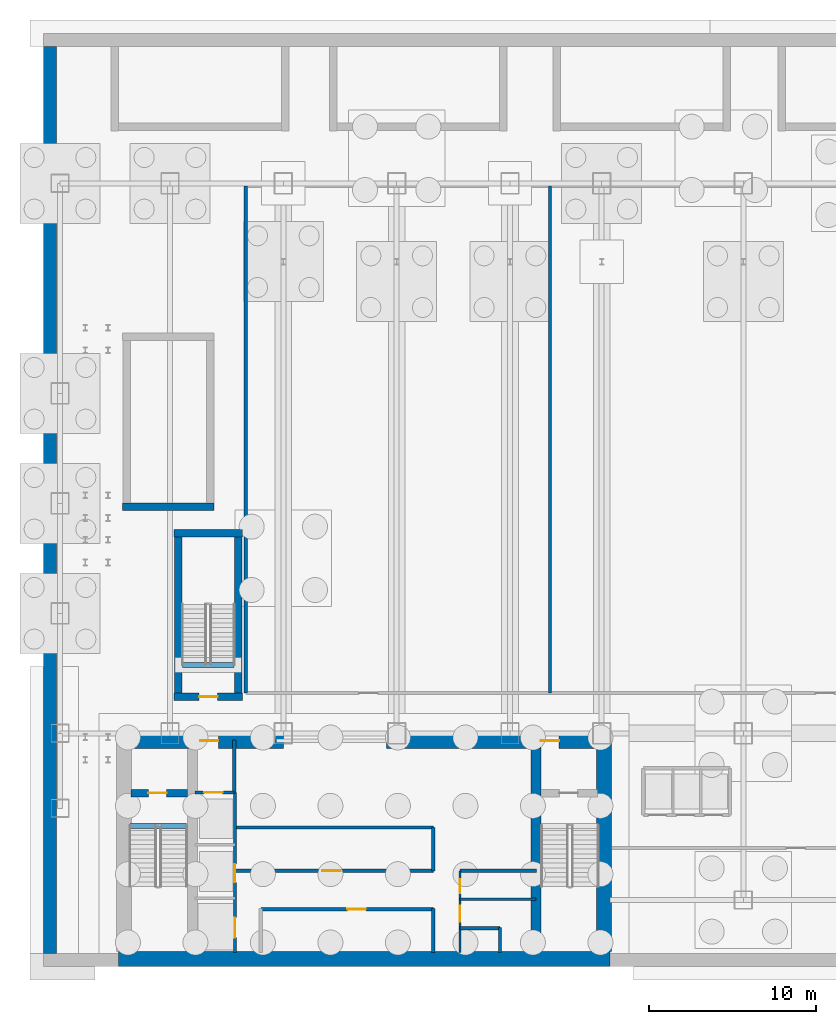
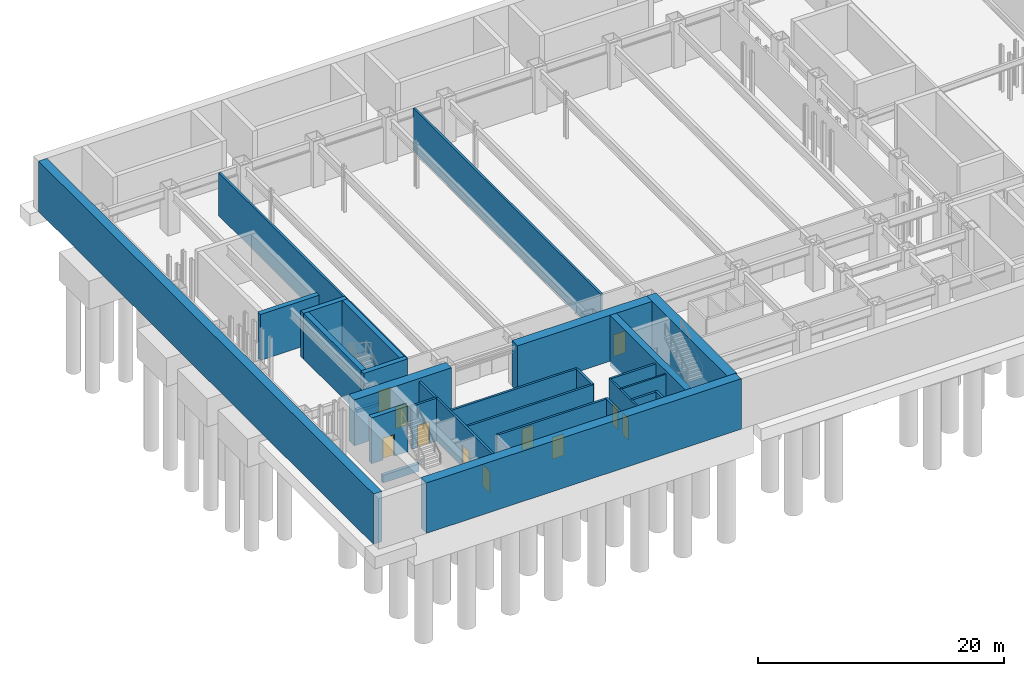
# One storey, part 10 of 17: 29 walls, 11 doors, 11 openings.
"""IFC4 building model written with IfcOpenShell, lengths in metres."""

from ifc_helpers import new_model, si_unit, derived_unit, direction, frame, frame_2d, origin, place, context, subcontext, project, spatial, rectangle, extrude, source, transform, mapped, material, layer, layer_set, type_object, element, fill, save


model = new_model("IFC4")

# Units and contexts
model_context = context("Model", 3, precision=1e-05, world=origin(), true_north=direction((0.0, 1.0)))
body_context = subcontext(model_context, "Body", "Model", "MODEL_VIEW")
ifc_project = project(units=[si_unit("LENGTHUNIT", "METRE"), si_unit("AREAUNIT", "SQUARE_METRE"), si_unit("VOLUMEUNIT", "CUBIC_METRE"), si_unit("PLANEANGLEUNIT", "RADIAN"), si_unit("MASSUNIT", "GRAM", prefix="KILO"), derived_unit("THERMALTRANSMITTANCEUNIT", [(si_unit("POWERUNIT", "WATT"), 1), (si_unit("LENGTHUNIT", "METRE"), -2), (si_unit("THERMODYNAMICTEMPERATUREUNIT", "KELVIN"), -1)])], contexts=[model_context])

# Site, building, storey
site_placement = place(None, origin())
site = spatial("IfcSite", under=ifc_project, at=site_placement, CompositionType="ELEMENT")
building_placement = place(site_placement, origin())
building = spatial("IfcBuilding", under=site, at=building_placement, Name="Skarnbrae Concourse Arena and Tower", CompositionType="ELEMENT")
storey_placement = place(building_placement, frame((0.0, 0.0, -10.0)))
storey = spatial("IfcBuildingStorey", under=building, at=storey_placement, Name="B02", CompositionType="ELEMENT", Elevation=-10.0)

# Walls
ifc_material_1 = material(Name="Concrete 50 MPa (C50/60)", Category="concrete")
ifc_layer_1 = layer(ifc_material_1, 0.800048828125)
ifc_layer_set_1 = layer_set([ifc_layer_1], Name="Concrete 50 MPa (C50/60)")
wall_type_1 = type_object("IfcWallType", Name="WALL-RETAINING-800", PredefinedType="USERDEFINED", material=ifc_layer_set_1)
shared_shape_1 = source(origin(), body_context, "Body", "SweptSolid", [
    extrude(rectangle(XDim=54.39990234375, YDim=0.800048828125, at=frame_2d((27.199951171875, 0.0))), origin(), (0.0, 0.0, 1.0), 5.0),
])
wall_1_placement = place(storey_placement, frame((0.39990234375, 0.800048828125, 0.0), z_axis=(0.0, 0.0, 1.0), x_axis=(0.0, 1.0, 0.0)))
element("IfcWall", 1, at=wall_1_placement, inside=storey, type_object=wall_type_1, Name="B02 Basement retaining wall RW-W", ObjectType="RETAINING WALL", PredefinedType="USERDEFINED", context=body_context, shape_type="MappedRepresentation", body=[
    mapped(shared_shape_1, transform((0.0, 0.0, 0.0))),
])
ifc_material_2 = material(Name="Concrete 70 MPa (C70/85)", Category="concrete")
ifc_layer_2 = layer(ifc_material_2, 0.89990234375)
ifc_layer_set_2 = layer_set([ifc_layer_2], Name="Concrete 70 MPa (C70/85)")
wall_type_2 = type_object("IfcWallType", Name="WALL-CORE-900-C70", PredefinedType="SHEAR", material=ifc_layer_set_2)
shared_shape_2 = source(origin(), body_context, "Body", "SweptSolid", [
    extrude(rectangle(XDim=29.5, YDim=0.89990234375, at=frame_2d((14.75, 0.0))), origin(), (0.0, 0.0, 1.0), 5.0),
])
wall_2_placement = place(storey_placement, frame((4.5, 0.449951171875, 0.0), z_axis=(0.0, 0.0, 1.0), x_axis=(1.0, 0.0, 0.0)))
element("IfcWall", 2, at=wall_2_placement, inside=storey, type_object=wall_type_2, Name="B02 Rear core shear wall CW-S", PredefinedType="SHEAR", context=body_context, shape_type="MappedRepresentation", body=[
    mapped(shared_shape_2, transform((0.0, 0.0, 0.0))),
])
shared_shape_3 = source(origin(), body_context, "Body", "SweptSolid", [
    extrude(rectangle(XDim=13.10009765625, YDim=0.89990234375, at=frame_2d((6.550048828125, 0.0))), origin(), (0.0, 0.0, 1.0), 5.0),
])
wall_3_placement = place(storey_placement, frame((33.64990234375, 0.89990234375, 0.0), z_axis=(0.0, 0.0, 1.0), x_axis=(0.0, 1.0, 0.0)))
element("IfcWall", 3, at=wall_3_placement, inside=storey, type_object=wall_type_2, Name="B02 Rear core shear wall CW-E", PredefinedType="SHEAR", context=body_context, shape_type="MappedRepresentation", body=[
    mapped(shared_shape_3, transform((0.0, 0.0, 0.0))),
])

# Wall, opening, door
shared_shape_4 = source(origin(), body_context, "Body", "SweptSolid", [
    extrude(rectangle(XDim=9.099853515625, YDim=0.89990234375, at=frame_2d((4.5498046875, 0.0))), origin(), (0.0, 0.0, 1.0), 4.550048828125),
])
wall_4_placement = place(storey_placement, frame((5.300048828125, 13.550048828125, 0.449951171875), z_axis=(0.0, 0.0, 1.0), x_axis=(1.0, 0.0, 0.0)))
wall_4 = element("IfcWall", 4, at=wall_4_placement, inside=storey, type_object=wall_type_2, Name="B02 Rear core shear wall CW-NW", PredefinedType="SHEAR", context=body_context, shape_type="MappedRepresentation", body=[
    mapped(shared_shape_4, transform((0.0, 0.0, 0.0))),
])
opening_1_placement = place(wall_4_placement, frame((4.10009765625, 0.0, 0.0)))
opening_1 = element("IfcOpeningElement", 5, at=opening_1_placement, cuts=wall_4, Name="Opening DT-03", PredefinedType="OPENING", context=body_context, shape_type="SweptSolid", body=[
    extrude(rectangle(XDim=1.10009765625, YDim=2.14990234375, at=frame_2d((0.550048828125, 1.074951171875))), frame((0.0, 0.4599609375, 0.0), z_axis=(0.0, -1.0, 0.0), x_axis=(1.0, 0.0, 0.0)), (0.0, 0.0, 1.0), 0.919921875),
])
ifc_material_3 = material(Name="Steel CSA G40.21 350W", Category="steel")
door_type_1 = type_object("IfcDoorType", Name="DOOR-FIRE-1100-90M", OperationType="NOTDEFINED", PredefinedType="DOOR", material=ifc_material_3)
shared_shape_5 = source(origin(), body_context, "Body", "SweptSolid", [
    extrude(rectangle(XDim=1.10009765625, YDim=2.14990234375, at=frame_2d((0.550048828125, 1.074951171875))), frame((0.0, 0.02490234375, 0.0), z_axis=(0.0, -1.0, 0.0), x_axis=(1.0, 0.0, 0.0)), (0.0, 0.0, 1.0), 0.050048828125),
])
door_1_placement = place(opening_1_placement, origin())
door_1 = element("IfcDoor", 6, at=door_1_placement, inside=storey, type_object=door_type_1, Name="D-0103 Firefighting Lobby Exit Door", OperationType="SINGLE_SWING_RIGHT", OverallHeight=2.14990234375, OverallWidth=1.10009765625, PredefinedType="DOOR", context=body_context, shape_type="MappedRepresentation", body=[
    mapped(shared_shape_5, transform((0.0, 0.0, 0.0))),
])
fill(opening_1, door_1)

shared_shape_6 = source(origin(), body_context, "Body", "SweptSolid", [
    extrude(rectangle(XDim=12.599853515625, YDim=0.89990234375, at=frame_2d((6.2998046875, 0.0))), origin(), (0.0, 0.0, 1.0), 4.550048828125),
])
wall_5_placement = place(storey_placement, frame((20.60009765625, 13.550048828125, 0.449951171875), z_axis=(0.0, 0.0, 1.0), x_axis=(1.0, 0.0, 0.0)))
wall_5 = element("IfcWall", 7, at=wall_5_placement, inside=storey, type_object=wall_type_2, Name="B02 Rear core shear wall CW-NE", PredefinedType="SHEAR", context=body_context, shape_type="MappedRepresentation", body=[
    mapped(shared_shape_6, transform((0.0, 0.0, 0.0))),
])
opening_2_placement = place(wall_5_placement, frame((9.25, 0.0, 0.0)))
opening_2 = element("IfcOpeningElement", 8, at=opening_2_placement, cuts=wall_5, Name="Opening DT-03", PredefinedType="OPENING", context=body_context, shape_type="SweptSolid", body=[
    extrude(rectangle(XDim=1.10009765625, YDim=2.14990234375, at=frame_2d((0.550048828125, 1.074951171875))), frame((0.0, 0.4599609375, 0.0), z_axis=(0.0, -1.0, 0.0), x_axis=(1.0, 0.0, 0.0)), (0.0, 0.0, 1.0), 0.919921875),
])
door_2_placement = place(opening_2_placement, origin())
door_2 = element("IfcDoor", 9, at=door_2_placement, inside=storey, type_object=door_type_1, Name="D-0104 Stair ST-2 Vestibule Door", OperationType="SINGLE_SWING_LEFT", OverallHeight=2.14990234375, OverallWidth=1.10009765625, PredefinedType="DOOR", context=body_context, shape_type="MappedRepresentation", body=[
    mapped(shared_shape_5, transform((0.0, 0.0, 0.0))),
])
fill(opening_2, door_2)

# Wall
ifc_layer_3 = layer(ifc_material_2, 0.60009765625)
ifc_layer_set_3 = layer_set([ifc_layer_3], Name="Concrete 70 MPa (C70/85)")
wall_type_3 = type_object("IfcWallType", Name="WALL-CORE-600-C70", PredefinedType="SHEAR", material=ifc_layer_set_3)
shared_shape_7 = source(origin(), body_context, "Body", "SweptSolid", [
    extrude(rectangle(XDim=12.2001953125, YDim=0.60009765625, at=frame_2d((6.10009765625, 0.0))), origin(), (0.0, 0.0, 1.0), 5.0),
])
wall_6_placement = place(storey_placement, frame((29.56005859375, 0.89990234375, 0.0), z_axis=(0.0, 0.0, 1.0), x_axis=(0.0, 1.0, 0.0)))
element("IfcWall", 10, at=wall_6_placement, inside=storey, type_object=wall_type_3, Name="B02 Rear core shear wall CW-WEB-E", PredefinedType="SHEAR", context=body_context, shape_type="MappedRepresentation", body=[
    mapped(shared_shape_7, transform((0.0, 0.0, 0.0))),
])

# Wall, opening, door
ifc_layer_4 = layer(ifc_material_1, 0.449951171875)
ifc_layer_set_4 = layer_set([ifc_layer_4], Name="Concrete 50 MPa (C50/60)")
wall_type_4 = type_object("IfcWallType", Name="WALL-CORE-450-C50", PredefinedType="SHEAR", material=ifc_layer_set_4)
shared_shape_8 = source(origin(), body_context, "Body", "SweptSolid", [
    extrude(rectangle(XDim=3.389892578125, YDim=0.449951171875, at=frame_2d((1.69482421875, 0.0))), origin(), (0.0, 0.0, 1.0), 4.550048828125),
])
wall_7_placement = place(storey_placement, frame((5.25, 10.419921875, 0.449951171875), z_axis=(0.0, 0.0, 1.0), x_axis=(1.0, 0.0, 0.0)))
wall_7 = element("IfcWall", 11, at=wall_7_placement, inside=storey, type_object=wall_type_4, Name="B02 Rear core shear wall CW-ST1-N", PredefinedType="SHEAR", context=body_context, shape_type="MappedRepresentation", body=[
    mapped(shared_shape_8, transform((0.0, 0.0, 0.0))),
])
opening_3_placement = place(wall_7_placement, frame((1.050048828125, 0.0, 0.0)))
opening_3 = element("IfcOpeningElement", 12, at=opening_3_placement, cuts=wall_7, Name="Opening DT-03", PredefinedType="OPENING", context=body_context, shape_type="SweptSolid", body=[
    extrude(rectangle(XDim=1.10009765625, YDim=2.14990234375, at=frame_2d((0.550048828125, 1.074951171875))), frame((0.0, 0.23486328125, 0.0), z_axis=(0.0, -1.0, 0.0), x_axis=(1.0, 0.0, 0.0)), (0.0, 0.0, 1.0), 0.469970703125),
])
door_3_placement = place(opening_3_placement, frame((1.10009765625, 0.0, 0.0), z_axis=(0.0, 0.0, 1.0), x_axis=(-1.0, 0.0, 0.0)))
door_3 = element("IfcDoor", 13, at=door_3_placement, inside=storey, type_object=door_type_1, Name="D-0101 Stair ST-1 Door", OperationType="SINGLE_SWING_LEFT", OverallHeight=2.14990234375, OverallWidth=1.10009765625, PredefinedType="DOOR", context=body_context, shape_type="MappedRepresentation", body=[
    mapped(shared_shape_5, transform((0.0, 0.0, 0.0))),
])
fill(opening_3, door_3)

# Wall
shared_shape_9 = source(origin(), body_context, "Body", "SweptSolid", [
    extrude(rectangle(XDim=3.400146484375, YDim=0.300048828125, at=frame_2d((1.7001953125, 0.0))), origin(), (0.0, 0.0, 1.0), 0.75),
])
wall_8_placement = place(storey_placement, frame((5.199951171875, 8.449951171875, -0.300048828125), z_axis=(0.0, 0.0, 1.0), x_axis=(1.0, 0.0, 0.0)))
element("IfcWall", 14, at=wall_8_placement, inside=storey, type_object=wall_type_4, Name="B02 Core stair ST-1 foundation sleeper step", PredefinedType="SHEAR", context=body_context, shape_type="MappedRepresentation", body=[
    mapped(shared_shape_9, transform((0.0, 0.0, 0.0))),
])

# Wall, opening, door
shared_shape_10 = source(origin(), body_context, "Body", "SweptSolid", [
    extrude(rectangle(XDim=4.099853515625, YDim=0.449951171875, at=frame_2d((2.0498046875, 0.0))), origin(), (0.0, 0.0, 1.0), 4.550048828125),
])
wall_9_placement = place(storey_placement, frame((7.85009765625, 16.195068359375, 0.449951171875), z_axis=(0.0, 0.0, 1.0), x_axis=(1.0, 0.0, 0.0)))
wall_9 = element("IfcWall", 15, at=wall_9_placement, inside=storey, type_object=wall_type_4, Name="B02 Protected stair shaft wall ST-B3-S", PredefinedType="SHEAR", context=body_context, shape_type="MappedRepresentation", body=[
    mapped(shared_shape_10, transform((0.0, 0.0, 0.0))),
])
opening_4_placement = place(wall_9_placement, frame((1.5, 0.0, 0.0)))
opening_4 = element("IfcOpeningElement", 16, at=opening_4_placement, cuts=wall_9, Name="Opening DT-03", PredefinedType="OPENING", context=body_context, shape_type="SweptSolid", body=[
    extrude(rectangle(XDim=1.10009765625, YDim=2.14990234375, at=frame_2d((0.550048828125, 1.074951171875))), frame((0.0, 0.23486328125, 0.0), z_axis=(0.0, -1.0, 0.0), x_axis=(1.0, 0.0, 0.0)), (0.0, 0.0, 1.0), 0.469970703125),
])
door_4_placement = place(opening_4_placement, origin())
door_4 = element("IfcDoor", 17, at=door_4_placement, inside=storey, type_object=door_type_1, Name="D-0121 Exit Stair ST-B3 Door", OperationType="SINGLE_SWING_LEFT", OverallHeight=2.14990234375, OverallWidth=1.10009765625, PredefinedType="DOOR", context=body_context, shape_type="MappedRepresentation", body=[
    mapped(shared_shape_5, transform((0.0, 0.0, 0.0))),
])
fill(opening_4, door_4)

# Walls
wall_10_placement = place(storey_placement, frame((7.85009765625, 26.0048828125, 0.449951171875), z_axis=(0.0, 0.0, 1.0), x_axis=(1.0, 0.0, 0.0)))
element("IfcWall", 18, at=wall_10_placement, inside=storey, type_object=wall_type_4, Name="B02 Protected stair shaft wall ST-B3-N", PredefinedType="SHEAR", context=body_context, shape_type="MappedRepresentation", body=[
    mapped(shared_shape_10, transform((0.0, 0.0, 0.0))),
])
shared_shape_11 = source(origin(), body_context, "Body", "SweptSolid", [
    extrude(rectangle(XDim=5.5, YDim=0.449951171875, at=frame_2d((2.75, 0.0))), origin(), (0.0, 0.0, 1.0), 4.550048828125),
])
wall_11_placement = place(storey_placement, frame((4.75, 27.594970703125, 0.449951171875), z_axis=(0.0, 0.0, 1.0), x_axis=(1.0, 0.0, 0.0)))
element("IfcWall", 19, at=wall_11_placement, inside=storey, type_object=wall_type_4, Name="B02 Protected stair shaft wall ST-A3-S", PredefinedType="SHEAR", context=body_context, shape_type="MappedRepresentation", body=[
    mapped(shared_shape_11, transform((0.0, 0.0, 0.0))),
])
shared_shape_12 = source(origin(), body_context, "Body", "SweptSolid", [
    extrude(rectangle(XDim=9.400146484375, YDim=0.449951171875, at=frame_2d((4.7001953125, 0.0))), origin(), (0.0, 0.0, 1.0), 4.550048828125),
])
for number, where, z_axis, x_axis, name in (
    (20, (8.094970703125, 16.39990234375, 0.449951171875), (0.0, 0.0, 1.0), (0.0, 1.0, 0.0), "B02 Protected stair shaft wall ST-B3-W"),
    (21, (11.705078125, 16.39990234375, 0.449951171875), (0.0, 0.0, 1.0), (0.0, 1.0, 0.0), "B02 Protected stair shaft wall ST-B3-E"),
):
    element("IfcWall", number, at=place(storey_placement, frame(where, z_axis=z_axis, x_axis=x_axis)), inside=storey, type_object=wall_type_4, Name=name, PredefinedType="SHEAR", context=body_context, shape_type="MappedRepresentation", body=[
        mapped(shared_shape_12, transform((0.0, 0.0, 0.0))),
    ])
shared_shape_13 = source(origin(), body_context, "Body", "SweptSolid", [
    extrude(rectangle(XDim=3.099853515625, YDim=0.300048828125, at=frame_2d((1.5498046875, 0.0))), origin(), (0.0, 0.0, 1.0), 0.300048828125),
])
wall_12_placement = place(storey_placement, frame((11.449951171875, 18.10009765625, -0.300048828125), z_axis=(0.0, 0.0, 1.0), x_axis=(-1.0, 0.0, 0.0)))
element("IfcWall", 22, at=wall_12_placement, inside=storey, type_object=wall_type_4, Name="B02 Stair ST-B3 foundation sleeper step", PredefinedType="SHEAR", context=body_context, shape_type="MappedRepresentation", body=[
    mapped(shared_shape_13, transform((0.0, 0.0, 0.0))),
])
ifc_material_4 = material(Name="Gypsum board on cold-formed steel studs", Category="steel")
ifc_layer_5 = layer(ifc_material_4, 0.199951171875)
ifc_layer_set_5 = layer_set([ifc_layer_5], Name="Gypsum board on cold-formed steel studs")
wall_type_5 = type_object("IfcWallType", Name="WALL-PART-200-2HR", PredefinedType="PARTITIONING", material=ifc_layer_set_5)
shared_shape_14 = source(origin(), body_context, "Body", "SweptSolid", [
    extrude(rectangle(XDim=3.18017578125, YDim=0.199951171875, at=frame_2d((1.590087890625, 0.0))), origin(), (0.0, 0.0, 1.0), 4.25),
])
wall_13_placement = place(storey_placement, frame((11.449951171875, 10.419921875, 0.449951171875), z_axis=(0.0, 0.0, 1.0), x_axis=(0.0, 1.0, 0.0)))
element("IfcWall", 23, at=wall_13_placement, inside=storey, type_object=wall_type_5, Name="B02 Interior partition wall W-B02-FFL-E", PredefinedType="PARTITIONING", context=body_context, shape_type="MappedRepresentation", body=[
    mapped(shared_shape_14, transform((0.0, 0.0, 0.0))),
])

# Wall, opening, door
shared_shape_15 = source(origin(), body_context, "Body", "SweptSolid", [
    extrude(rectangle(XDim=2.349853515625, YDim=0.199951171875, at=frame_2d((1.1748046875, 0.0))), origin(), (0.0, 0.0, 1.0), 4.25),
])
wall_14_placement = place(storey_placement, frame((9.10009765625, 10.449951171875, 0.449951171875), z_axis=(0.0, 0.0, 1.0), x_axis=(1.0, 0.0, 0.0)))
wall_14 = element("IfcWall", 24, at=wall_14_placement, inside=storey, type_object=wall_type_5, Name="B02 Interior partition wall W-B02-FL1-N", PredefinedType="PARTITIONING", context=body_context, shape_type="MappedRepresentation", body=[
    mapped(shared_shape_15, transform((0.0, 0.0, 0.0))),
])
opening_5_placement = place(wall_14_placement, frame((0.550048828125, 0.0, 0.0)))
opening_5 = element("IfcOpeningElement", 25, at=opening_5_placement, cuts=wall_14, Name="Opening LD-01", PredefinedType="OPENING", context=body_context, shape_type="SweptSolid", body=[
    extrude(rectangle(XDim=1.10009765625, YDim=2.14990234375, at=frame_2d((0.550048828125, 1.074951171875))), frame((0.0, 0.10986328125, 0.0), z_axis=(0.0, -1.0, 0.0), x_axis=(1.0, 0.0, 0.0)), (0.0, 0.0, 1.0), 0.219970703125),
])
door_type_2 = type_object("IfcDoorType", Name="DOOR-LIFT-SLIDE-1100", OperationType="SLIDING_TO_LEFT", PredefinedType="DOOR", material=ifc_material_3)
door_5_placement = place(opening_5_placement, origin())
door_5 = element("IfcDoor", 26, at=door_5_placement, inside=storey, type_object=door_type_2, Name="D-0105 Firefighting Lift Landing Door FL-01", OperationType="SLIDING_TO_LEFT", OverallHeight=2.14990234375, OverallWidth=1.10009765625, PredefinedType="DOOR", context=body_context, shape_type="MappedRepresentation", body=[
    mapped(shared_shape_5, transform((0.0, 0.0, 0.0))),
])
fill(opening_5, door_5)

# Wall, openings, doors
shared_shape_16 = source(origin(), body_context, "Body", "SweptSolid", [
    extrude(rectangle(XDim=9.599853515625, YDim=0.199951171875, at=frame_2d((4.7998046875, 0.0))), origin(), (0.0, 0.0, 1.0), 4.25),
])
wall_15_placement = place(storey_placement, frame((11.5, 0.85009765625, 0.449951171875), z_axis=(0.0, 0.0, 1.0), x_axis=(0.0, 1.0, 0.0)))
wall_15 = element("IfcWall", 27, at=wall_15_placement, inside=storey, type_object=wall_type_5, Name="B02 Interior partition wall W-B02-FL-E", PredefinedType="PARTITIONING", context=body_context, shape_type="MappedRepresentation", body=[
    mapped(shared_shape_16, transform((0.0, 0.0, 0.0))),
])
opening_6_placement = place(wall_15_placement, frame((4.199951171875, 0.0, 0.0)))
opening_6 = element("IfcOpeningElement", 28, at=opening_6_placement, cuts=wall_15, Name="Opening LD-01", PredefinedType="OPENING", context=body_context, shape_type="SweptSolid", body=[
    extrude(rectangle(XDim=1.10009765625, YDim=2.14990234375, at=frame_2d((0.550048828125, 1.074951171875))), frame((0.0, 0.10986328125, 0.0), z_axis=(0.0, -1.0, 0.0), x_axis=(1.0, 0.0, 0.0)), (0.0, 0.0, 1.0), 0.219970703125),
])
opening_7_placement = place(wall_15_placement, frame((0.89990234375, 0.0, 0.0)))
opening_7 = element("IfcOpeningElement", 29, at=opening_7_placement, cuts=wall_15, Name="Opening LD-02", PredefinedType="OPENING", context=body_context, shape_type="SweptSolid", body=[
    extrude(rectangle(XDim=1.199951171875, YDim=2.14990234375, at=frame_2d((0.60009765625, 1.074951171875))), frame((0.0, 0.10986328125, 0.0), z_axis=(0.0, -1.0, 0.0), x_axis=(1.0, 0.0, 0.0)), (0.0, 0.0, 1.0), 0.219970703125),
])
door_6_placement = place(opening_6_placement, frame((1.10009765625, 0.0, 0.0), z_axis=(0.0, 0.0, 1.0), x_axis=(-1.0, 0.0, 0.0)))
door_6 = element("IfcDoor", 30, at=door_6_placement, inside=storey, type_object=door_type_2, Name="D-0106 Firefighting Lift Landing Door FL-02", OperationType="SLIDING_TO_LEFT", OverallHeight=2.14990234375, OverallWidth=1.10009765625, PredefinedType="DOOR", context=body_context, shape_type="MappedRepresentation", body=[
    mapped(shared_shape_5, transform((0.0, 0.0, 0.0))),
])
fill(opening_6, door_6)
door_type_3 = type_object("IfcDoorType", Name="DOOR-LIFT-SLIDE-1200", OperationType="SLIDING_TO_LEFT", PredefinedType="DOOR", material=ifc_material_3)
shared_shape_17 = source(origin(), body_context, "Body", "SweptSolid", [
    extrude(rectangle(XDim=1.199951171875, YDim=2.14990234375, at=frame_2d((0.60009765625, 1.074951171875))), frame((0.0, 0.02490234375, 0.0), z_axis=(0.0, -1.0, 0.0), x_axis=(1.0, 0.0, 0.0)), (0.0, 0.0, 1.0), 0.050048828125),
])
door_7_placement = place(opening_7_placement, frame((1.199951171875, 0.0, 0.0), z_axis=(0.0, 0.0, 1.0), x_axis=(-1.0, 0.0, 0.0)))
door_7 = element("IfcDoor", 31, at=door_7_placement, inside=storey, type_object=door_type_3, Name="D-0107 Service Lift Landing Door SV-01", OperationType="SLIDING_TO_LEFT", OverallHeight=2.14990234375, OverallWidth=1.199951171875, PredefinedType="DOOR", context=body_context, shape_type="MappedRepresentation", body=[
    mapped(shared_shape_17, transform((0.0, 0.0, 0.0))),
])
fill(opening_7, door_7)

# Wall
shared_shape_18 = source(origin(), body_context, "Body", "SweptSolid", [
    extrude(rectangle(XDim=2.64990234375, YDim=0.199951171875, at=frame_2d((1.324951171875, 0.0))), origin(), (0.0, 0.0, 1.0), 4.25),
])
wall_16_placement = place(storey_placement, frame((23.39990234375, 0.85009765625, 0.449951171875), z_axis=(0.0, 0.0, 1.0), x_axis=(0.0, 1.0, 0.0)))
element("IfcWall", 32, at=wall_16_placement, inside=storey, type_object=wall_type_5, Name="B02 Interior partition wall W-B02-B1B-E", PredefinedType="PARTITIONING", context=body_context, shape_type="MappedRepresentation", body=[
    mapped(shared_shape_18, transform((0.0, 0.0, 0.0))),
])

# Wall, opening, door
shared_shape_19 = source(origin(), body_context, "Body", "SweptSolid", [
    extrude(rectangle(XDim=10.349853515625, YDim=0.199951171875, at=frame_2d((5.1748046875, 0.0))), origin(), (0.0, 0.0, 1.0), 4.25),
])
wall_17_placement = place(storey_placement, frame((13.050048828125, 3.449951171875, 0.449951171875), z_axis=(0.0, 0.0, 1.0), x_axis=(1.0, 0.0, 0.0)))
wall_17 = element("IfcWall", 33, at=wall_17_placement, inside=storey, type_object=wall_type_5, Name="B02 Interior partition wall W-B02-B1B-N", PredefinedType="PARTITIONING", context=body_context, shape_type="MappedRepresentation", body=[
    mapped(shared_shape_19, transform((0.0, 0.0, 0.0))),
])
opening_8_placement = place(wall_17_placement, frame((5.199951171875, 0.0, 0.0)))
opening_8 = element("IfcOpeningElement", 34, at=opening_8_placement, cuts=wall_17, Name="Opening DT-03", PredefinedType="OPENING", context=body_context, shape_type="SweptSolid", body=[
    extrude(rectangle(XDim=1.10009765625, YDim=2.14990234375, at=frame_2d((0.550048828125, 1.074951171875))), frame((0.0, 0.10986328125, 0.0), z_axis=(0.0, -1.0, 0.0), x_axis=(1.0, 0.0, 0.0)), (0.0, 0.0, 1.0), 0.219970703125),
])
door_8_placement = place(opening_8_placement, origin())
door_8 = element("IfcDoor", 35, at=door_8_placement, inside=storey, type_object=door_type_1, Name="D-0108 Core Plant Door", OperationType="SINGLE_SWING_LEFT", OverallHeight=2.14990234375, OverallWidth=1.10009765625, PredefinedType="DOOR", context=body_context, shape_type="MappedRepresentation", body=[
    mapped(shared_shape_5, transform((0.0, 0.0, 0.0))),
])
fill(opening_8, door_8)

shared_shape_20 = source(origin(), body_context, "Body", "SweptSolid", [
    extrude(rectangle(XDim=11.849853515625, YDim=0.199951171875, at=frame_2d((5.9248046875, 0.0))), origin(), (0.0, 0.0, 1.0), 4.25),
])
wall_18_placement = place(storey_placement, frame((11.550048828125, 5.75, 0.449951171875), z_axis=(0.0, 0.0, 1.0), x_axis=(1.0, 0.0, 0.0)))
wall_18 = element("IfcWall", 36, at=wall_18_placement, inside=storey, type_object=wall_type_5, Name="B02 Interior partition wall W-B02-B2B-S", PredefinedType="PARTITIONING", context=body_context, shape_type="MappedRepresentation", body=[
    mapped(shared_shape_20, transform((0.0, 0.0, 0.0))),
])
opening_9_placement = place(wall_18_placement, frame((5.199951171875, 0.0, 0.0)))
opening_9 = element("IfcOpeningElement", 37, at=opening_9_placement, cuts=wall_18, Name="Opening DT-03", PredefinedType="OPENING", context=body_context, shape_type="SweptSolid", body=[
    extrude(rectangle(XDim=1.10009765625, YDim=2.14990234375, at=frame_2d((0.550048828125, 1.074951171875))), frame((0.0, 0.10986328125, 0.0), z_axis=(0.0, -1.0, 0.0), x_axis=(1.0, 0.0, 0.0)), (0.0, 0.0, 1.0), 0.219970703125),
])
door_9_placement = place(opening_9_placement, frame((1.10009765625, 0.0, 0.0), z_axis=(0.0, 0.0, 1.0), x_axis=(-1.0, 0.0, 0.0)))
door_9 = element("IfcDoor", 38, at=door_9_placement, inside=storey, type_object=door_type_1, Name="D-0109 Core Machine Room Door", OperationType="SINGLE_SWING_RIGHT", OverallHeight=2.14990234375, OverallWidth=1.10009765625, PredefinedType="DOOR", context=body_context, shape_type="MappedRepresentation", body=[
    mapped(shared_shape_5, transform((0.0, 0.0, 0.0))),
])
fill(opening_9, door_9)

# Walls
wall_19_placement = place(storey_placement, frame((11.550048828125, 8.35009765625, 0.449951171875), z_axis=(0.0, 0.0, 1.0), x_axis=(1.0, 0.0, 0.0)))
element("IfcWall", 39, at=wall_19_placement, inside=storey, type_object=wall_type_5, Name="B02 Interior partition wall W-B02-B2B-N", PredefinedType="PARTITIONING", context=body_context, shape_type="MappedRepresentation", body=[
    mapped(shared_shape_20, transform((0.0, 0.0, 0.0))),
])
shared_shape_21 = source(origin(), body_context, "Body", "SweptSolid", [
    extrude(rectangle(XDim=2.60009765625, YDim=0.199951171875, at=frame_2d((1.300048828125, 0.0))), origin(), (0.0, 0.0, 1.0), 4.25),
])
wall_20_placement = place(storey_placement, frame((23.39990234375, 5.75, 0.449951171875), z_axis=(0.0, 0.0, 1.0), x_axis=(0.0, 1.0, 0.0)))
element("IfcWall", 40, at=wall_20_placement, inside=storey, type_object=wall_type_5, Name="B02 Interior partition wall W-B02-B2B-E", PredefinedType="PARTITIONING", context=body_context, shape_type="MappedRepresentation", body=[
    mapped(shared_shape_21, transform((0.0, 0.0, 0.0))),
])

# Wall, openings, doors
ifc_layer_6 = layer(ifc_material_4, 0.14990234375)
ifc_layer_set_6 = layer_set([ifc_layer_6], Name="Gypsum board on cold-formed steel studs")
wall_type_6 = type_object("IfcWallType", Name="WALL-PART-150-1HR", PredefinedType="PARTITIONING", material=ifc_layer_set_6)
shared_shape_22 = source(origin(), body_context, "Body", "SweptSolid", [
    extrude(rectangle(XDim=4.89990234375, YDim=0.14990234375, at=frame_2d((2.449951171875, 0.0))), origin(), (0.0, 0.0, 1.0), 4.25),
])
wall_21_placement = place(storey_placement, frame((25.0, 0.85009765625, 0.449951171875), z_axis=(0.0, 0.0, 1.0), x_axis=(0.0, 1.0, 0.0)))
wall_21 = element("IfcWall", 41, at=wall_21_placement, inside=storey, type_object=wall_type_6, Name="B02 Interior partition wall W-B02-CSV-W", PredefinedType="PARTITIONING", context=body_context, shape_type="MappedRepresentation", body=[
    mapped(shared_shape_22, transform((0.0, 0.0, 0.0))),
])
opening_10_placement = place(wall_21_placement, frame((1.85009765625, 0.0, 0.0)))
opening_10 = element("IfcOpeningElement", 42, at=opening_10_placement, cuts=wall_21, Name="Opening DT-04", PredefinedType="OPENING", context=body_context, shape_type="SweptSolid", body=[
    extrude(rectangle(XDim=0.949951171875, YDim=2.14990234375, at=frame_2d((0.47509765625, 1.074951171875))), frame((0.0, 0.0849609375, 0.0), z_axis=(0.0, -1.0, 0.0), x_axis=(1.0, 0.0, 0.0)), (0.0, 0.0, 1.0), 0.169921875),
])
opening_11_placement = place(wall_21_placement, frame((3.550048828125, 0.0, 0.0)))
opening_11 = element("IfcOpeningElement", 43, at=opening_11_placement, cuts=wall_21, Name="Opening DT-08", PredefinedType="OPENING", context=body_context, shape_type="SweptSolid", body=[
    extrude(rectangle(XDim=0.85009765625, YDim=2.14990234375, at=frame_2d((0.425048828125, 1.074951171875))), frame((0.0, 0.0849609375, 0.0), z_axis=(0.0, -1.0, 0.0), x_axis=(1.0, 0.0, 0.0)), (0.0, 0.0, 1.0), 0.169921875),
])
door_type_4 = type_object("IfcDoorType", Name="DOOR-INT-950-45M", OperationType="NOTDEFINED", PredefinedType="DOOR", material=ifc_material_3)
shared_shape_23 = source(origin(), body_context, "Body", "SweptSolid", [
    extrude(rectangle(XDim=0.949951171875, YDim=2.14990234375, at=frame_2d((0.47509765625, 1.074951171875))), frame((0.0, 0.02490234375, 0.0), z_axis=(0.0, -1.0, 0.0), x_axis=(1.0, 0.0, 0.0)), (0.0, 0.0, 1.0), 0.050048828125),
])
door_10_placement = place(opening_10_placement, origin())
door_10 = element("IfcDoor", 44, at=door_10_placement, inside=storey, type_object=door_type_4, Name="D-0110 Core Staff WC Door", OperationType="SINGLE_SWING_RIGHT", OverallHeight=2.14990234375, OverallWidth=0.949951171875, PredefinedType="DOOR", context=body_context, shape_type="MappedRepresentation", body=[
    mapped(shared_shape_23, transform((0.0, 0.0, 0.0))),
])
fill(opening_10, door_10)
door_type_5 = type_object("IfcDoorType", Name="DOOR-INT-850-45M", OperationType="NOTDEFINED", PredefinedType="DOOR", material=ifc_material_3)
shared_shape_24 = source(origin(), body_context, "Body", "SweptSolid", [
    extrude(rectangle(XDim=0.85009765625, YDim=2.14990234375, at=frame_2d((0.425048828125, 1.074951171875))), frame((0.0, 0.02490234375, 0.0), z_axis=(0.0, -1.0, 0.0), x_axis=(1.0, 0.0, 0.0)), (0.0, 0.0, 1.0), 0.050048828125),
])
door_11_placement = place(opening_11_placement, origin())
door_11 = element("IfcDoor", 45, at=door_11_placement, inside=storey, type_object=door_type_5, Name="D-0111 IT Patch Room Door", OperationType="SINGLE_SWING_LEFT", OverallHeight=2.14990234375, OverallWidth=0.85009765625, PredefinedType="DOOR", context=body_context, shape_type="MappedRepresentation", body=[
    mapped(shared_shape_24, transform((0.0, 0.0, 0.0))),
])
fill(opening_11, door_11)

# Walls
shared_shape_25 = source(origin(), body_context, "Body", "SweptSolid", [
    extrude(rectangle(XDim=4.60009765625, YDim=0.199951171875, at=frame_2d((2.300048828125, 0.0))), origin(), (0.0, 0.0, 1.0), 4.25),
])
wall_22_placement = place(storey_placement, frame((25.0, 5.75, 0.449951171875), z_axis=(0.0, 0.0, 1.0), x_axis=(1.0, 0.0, 0.0)))
element("IfcWall", 46, at=wall_22_placement, inside=storey, type_object=wall_type_5, Name="B02 Interior partition wall W-B02-CSV-N", PredefinedType="PARTITIONING", context=body_context, shape_type="MappedRepresentation", body=[
    mapped(shared_shape_25, transform((0.0, 0.0, 0.0))),
])
shared_shape_26 = source(origin(), body_context, "Body", "SweptSolid", [
    extrude(rectangle(XDim=2.39990234375, YDim=0.199951171875, at=frame_2d((1.199951171875, 0.0))), origin(), (0.0, 0.0, 1.0), 4.25),
])
wall_23_placement = place(storey_placement, frame((25.0, 2.300048828125, 0.449951171875), z_axis=(0.0, 0.0, 1.0), x_axis=(1.0, 0.0, 0.0)))
element("IfcWall", 47, at=wall_23_placement, inside=storey, type_object=wall_type_5, Name="B02 Interior partition wall W-B02-MEP-N", PredefinedType="PARTITIONING", context=body_context, shape_type="MappedRepresentation", body=[
    mapped(shared_shape_26, transform((0.0, 0.0, 0.0))),
])
shared_shape_27 = source(origin(), body_context, "Body", "SweptSolid", [
    extrude(rectangle(XDim=1.5, YDim=0.199951171875, at=frame_2d((0.75, 0.0))), origin(), (0.0, 0.0, 1.0), 4.25),
])
wall_24_placement = place(storey_placement, frame((27.39990234375, 0.85009765625, 0.449951171875), z_axis=(0.0, 0.0, 1.0), x_axis=(0.0, 1.0, 0.0)))
element("IfcWall", 48, at=wall_24_placement, inside=storey, type_object=wall_type_5, Name="B02 Interior partition wall W-B02-MEP-E", PredefinedType="PARTITIONING", context=body_context, shape_type="MappedRepresentation", body=[
    mapped(shared_shape_27, transform((0.0, 0.0, 0.0))),
])
ifc_layer_7 = layer(ifc_material_4, 0.14990234375)
ifc_layer_set_7 = layer_set([ifc_layer_7], Name="Gypsum board on cold-formed steel studs")
wall_type_7 = type_object("IfcWallType", Name="WALL-PART-150", PredefinedType="PARTITIONING", material=ifc_layer_set_7)
shared_shape_28 = source(origin(), body_context, "Body", "SweptSolid", [
    extrude(rectangle(XDim=4.550048828125, YDim=0.14990234375, at=frame_2d((2.27490234375, 0.0))), origin(), (0.0, 0.0, 1.0), 4.25),
])
wall_25_placement = place(storey_placement, frame((25.0, 4.050048828125, 0.449951171875), z_axis=(0.0, 0.0, 1.0), x_axis=(1.0, 0.0, 0.0)))
element("IfcWall", 49, at=wall_25_placement, inside=storey, type_object=wall_type_7, Name="B02 Interior partition wall W-B02-CSV-H2", PredefinedType="PARTITIONING", context=body_context, shape_type="MappedRepresentation", body=[
    mapped(shared_shape_28, transform((0.0, 0.0, 0.0))),
])
shared_shape_29 = source(origin(), body_context, "Body", "SweptSolid", [
    extrude(rectangle(XDim=30.43017578125, YDim=0.199951171875, at=frame_2d((15.215087890625, 0.0))), origin(), (0.0, 0.0, 1.0), 4.25),
])
for number, where, z_axis, x_axis, name in (
    (50, (12.14990234375, 16.419921875, 0.449951171875), (0.0, 0.0, 1.0), (0.0, 1.0, 0.0), "B02 Interior partition wall W-B02-BC-W"),
    (51, (30.39990234375, 16.419921875, 0.449951171875), (0.0, 0.0, 1.0), (0.0, 1.0, 0.0), "B02 Interior partition wall W-B02-BMID"),
):
    element("IfcWall", number, at=place(storey_placement, frame(where, z_axis=z_axis, x_axis=x_axis)), inside=storey, type_object=wall_type_5, Name=name, PredefinedType="PARTITIONING", context=body_context, shape_type="MappedRepresentation", body=[
        mapped(shared_shape_29, transform((0.0, 0.0, 0.0))),
    ])

save(model, "model.ifc")
